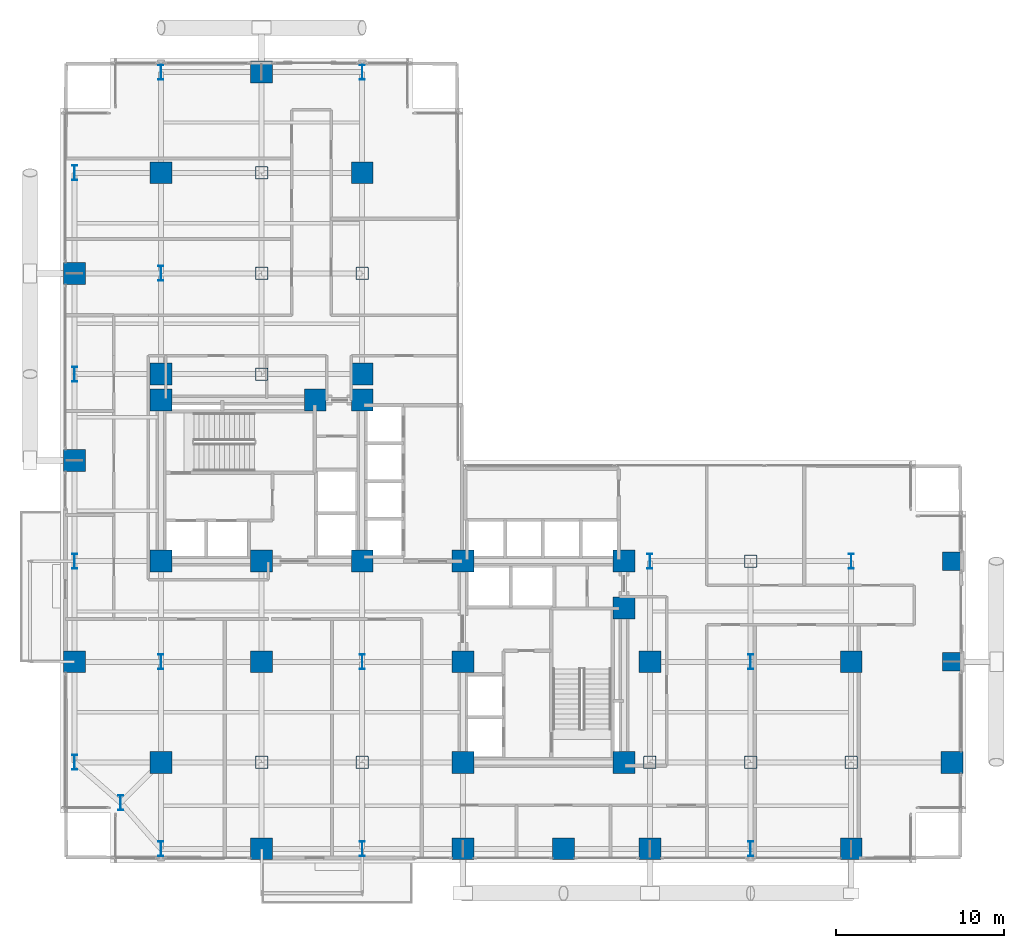
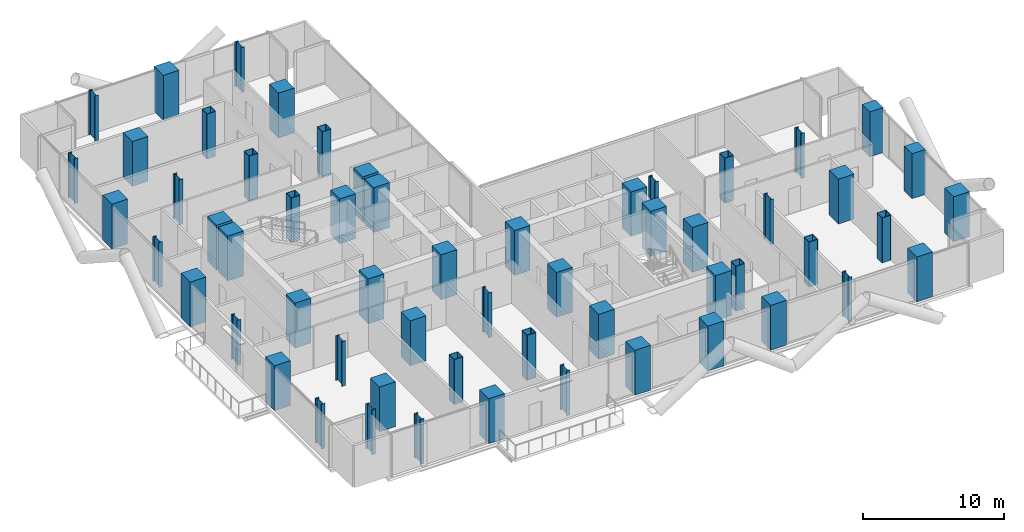
# One storey, part 1 of 25: 58 columns.
"""IFC4 building model written with IfcOpenShell, lengths in metres."""

from ifc_helpers import new_model, si_unit, direction, frame, origin, origin_2d, place, context, subcontext, project, spatial, rectangle, hollow_rectangle, i_section, extrude, material, material_profile, profile_set, type_object, element, save


model = new_model("IFC4")

# Units and contexts
model_context = context("Model", 3, precision=1e-05, world=origin(), true_north=direction((0.0, 1.0)))
body_context = subcontext(model_context, "Body", "Model", "MODEL_VIEW")
ifc_project = project(units=[si_unit("LENGTHUNIT", "METRE"), si_unit("AREAUNIT", "SQUARE_METRE"), si_unit("VOLUMEUNIT", "CUBIC_METRE"), si_unit("PLANEANGLEUNIT", "RADIAN"), si_unit("MASSUNIT", "GRAM", prefix="KILO"), si_unit("THERMODYNAMICTEMPERATUREUNIT", "KELVIN"), si_unit("POWERUNIT", "WATT")], contexts=[model_context])

# Site, building, storey
site_placement = place(None, origin())
site = spatial("IfcSite", under=ifc_project, at=site_placement, CompositionType="ELEMENT")
building_placement = place(site_placement, origin())
building = spatial("IfcBuilding", under=site, at=building_placement, Name="Svarakhadi Broadcast Tower", CompositionType="ELEMENT")
storey_placement = place(building_placement, frame((0.0, 0.0, 67.5)))
storey = spatial("IfcBuildingStorey", under=building, at=storey_placement, Name="L15", CompositionType="ELEMENT", Elevation=67.5)

# Columns
ifc_material_1 = material(Name="Steel S460ML (IS 2062 E450BR)", Category="steel")
ifc_material_profile_1 = material_profile(ifc_material_1, hollow_rectangle(XDim=0.75, YDim=0.75, WallThickness=0.034912109375, InnerFilletRadius=0.034912109375, OuterFilletRadius=0.050048828125, at=origin_2d()), Name="BOX 750x750x35")
ifc_profile_set_1 = profile_set([ifc_material_profile_1], Name="Steel S460ML (IS 2062 E450BR)")
column_type_1 = type_object("IfcColumnType", Name="Col_BOX750", PredefinedType="COLUMN", material=ifc_profile_set_1)
for number, where, z_axis, x_axis, name in (
    (1, (12.0, 6.0, 0.0), (0.0, 0.0, 1.0), (1.0, 0.0, 0.0), "L15 Column G19"),
    (2, (12.0, 29.14990234375, 0.0), (0.0, 0.0, 1.0), (1.0, 0.0, 0.0), "L15 Column G21"),
    (3, (12.0, 35.14990234375, 0.0), (0.0, 0.0, 1.0), (1.0, 0.0, 0.0), "L15 Column G22"),
    (4, (12.0, 41.14990234375, 0.0), (0.0, 0.0, 1.0), (1.0, 0.0, 0.0), "L15 Column G23"),
    (5, (18.0, 6.0, 0.0), (0.0, 0.0, 1.0), (1.0, 0.0, 0.0), "L15 Column G26"),
    (6, (18.0, 35.14990234375, 0.0), (0.0, 0.0, 1.0), (1.0, 0.0, 0.0), "L15 Column G29"),
    (7, (35.14990234375, 6.0, 0.0), (0.0, 0.0, 1.0), (1.0, 0.0, 0.0), "L15 Column G39"),
    (8, (41.14990234375, 6.0, 0.0), (0.0, 0.0, 1.0), (1.0, 0.0, 0.0), "L15 Column G44"),
    (9, (41.14990234375, 18.0, 0.0), (0.0, 0.0, 1.0), (1.0, 0.0, 0.0), "L15 Column G46"),
    (10, (47.14990234375, 6.0, 0.0), (0.0, 0.0, 1.0), (1.0, 0.0, 0.0), "L15 Column G51"),
):
    element("IfcColumn", number, at=place(storey_placement, frame(where, z_axis=z_axis, x_axis=x_axis)), inside=storey, type_object=column_type_1, Name=name, PredefinedType="COLUMN", context=body_context, shape_type="SweptSolid", body=[
        extrude(hollow_rectangle(XDim=0.75, YDim=0.75, WallThickness=0.034912109375, InnerFilletRadius=0.034912109375, OuterFilletRadius=0.050048828125, at=origin_2d()), origin(), (0.0, 0.0, 1.0), 3.89990234375),
    ])
ifc_material_2 = material(Name="Concrete C50/60 (IS 456 M60)", Category="concrete")
ifc_material_profile_2 = material_profile(ifc_material_2, rectangle(XDim=1.10009765625, YDim=1.10009765625, at=origin_2d()), Name="RC 1100x1100")
ifc_profile_set_2 = profile_set([ifc_material_profile_2], Name="Concrete C50/60 (IS 456 M60)")
column_type_2 = type_object("IfcColumnType", Name="Col_RC1100", PredefinedType="COLUMN", material=ifc_profile_set_2)
for number, where, z_axis, x_axis, name in (
    (11, (53.14990234375, 12.0, 0.0), (0.0, 0.0, 1.0), (1.0, 0.0, 0.0), "L15 Zone-1 East Stack Column ZT02"),
    (12, (53.14990234375, 18.0, 0.0), (0.0, 0.0, 1.0), (1.0, 0.0, 0.0), "L15 Zone-1 East Stack Column ZT03"),
):
    element("IfcColumn", number, at=place(storey_placement, frame(where, z_axis=z_axis, x_axis=x_axis)), inside=storey, type_object=column_type_2, Name=name, PredefinedType="COLUMN", context=body_context, shape_type="SweptSolid", body=[
        extrude(rectangle(XDim=1.10009765625, YDim=1.10009765625, at=origin_2d()), origin(), (0.0, 0.0, 1.0), 3.89990234375),
    ])
ifc_material_3 = material(Name="Concrete C60/75 (IS 456 M70)", Category="concrete")
ifc_material_profile_3 = material_profile(ifc_material_3, rectangle(XDim=1.300048828125, YDim=1.300048828125, at=origin_2d()), Name="RC 1300x1300")
ifc_profile_set_3 = profile_set([ifc_material_profile_3], Name="Concrete C60/75 (IS 456 M70)")
column_type_3 = type_object("IfcColumnType", Name="Col_RC1300", PredefinedType="COLUMN", material=ifc_profile_set_3)
for number, where, z_axis, x_axis, name in (
    (13, (6.0, 18.0, 0.0), (0.0, 0.0, 1.0), (1.0, 0.0, 0.0), "L15 Column CW1"),
    (14, (12.0, 18.0, 0.0), (0.0, 0.0, 1.0), (1.0, 0.0, 0.0), "L15 Column CW2"),
    (15, (18.0, 18.0, 0.0), (0.0, 0.0, 1.0), (1.0, 0.0, 0.0), "L15 Column CW3"),
    (16, (6.0, 27.60009765625, 0.0), (0.0, 0.0, 1.0), (1.0, 0.0, 0.0), "L15 Column CW4"),
    (17, (15.199951171875, 27.60009765625, 0.0), (0.0, 0.0, 1.0), (1.0, 0.0, 0.0), "L15 Column CW5"),
    (18, (18.0, 27.60009765625, 0.0), (0.0, 0.0, 1.0), (1.0, 0.0, 0.0), "L15 Column CW6"),
    (19, (24.0, 6.0, 0.0), (0.0, 0.0, 1.0), (1.0, 0.0, 0.0), "L15 Column CE1"),
    (20, (24.0, 12.0, 0.0), (0.0, 0.0, 1.0), (1.0, 0.0, 0.0), "L15 Column CE2"),
    (21, (24.0, 18.0, 0.0), (0.0, 0.0, 1.0), (1.0, 0.0, 0.0), "L15 Column CE3"),
    (22, (33.60009765625, 6.0, 0.0), (0.0, 0.0, 1.0), (1.0, 0.0, 0.0), "L15 Column CE4"),
    (23, (33.60009765625, 15.199951171875, 0.0), (0.0, 0.0, 1.0), (1.0, 0.0, 0.0), "L15 Column CE5"),
    (24, (33.60009765625, 18.0, 0.0), (0.0, 0.0, 1.0), (1.0, 0.0, 0.0), "L15 Column CE6"),
    (25, (0.85009765625, 12.0, 0.0), (0.0, 0.0, 1.0), (1.0, 0.0, 0.0), "L15 Column G04"),
    (26, (0.85009765625, 24.0, 0.0), (0.0, 0.0, 1.0), (1.0, 0.0, 0.0), "L15 Column G06"),
    (27, (0.85009765625, 35.14990234375, 0.0), (0.0, 0.0, 1.0), (1.0, 0.0, 0.0), "L15 Column G08"),
    (28, (6.0, 6.0, 0.0), (0.0, 0.0, 1.0), (1.0, 0.0, 0.0), "L15 Column G12"),
    (29, (6.0, 29.14990234375, 0.0), (0.0, 0.0, 1.0), (1.0, 0.0, 0.0), "L15 Column G14"),
    (30, (6.0, 41.14990234375, 0.0), (0.0, 0.0, 1.0), (1.0, 0.0, 0.0), "L15 Column G16"),
    (31, (12.0, 0.85009765625, 0.0), (0.0, 0.0, 1.0), (1.0, 0.0, 0.0), "L15 Column G18"),
    (32, (12.0, 12.0, 0.0), (0.0, 0.0, 1.0), (1.0, 0.0, 0.0), "L15 Column G20"),
    (33, (12.0, 47.14990234375, 0.0), (0.0, 0.0, 1.0), (1.0, 0.0, 0.0), "L15 Column G24"),
    (34, (18.0, 29.14990234375, 0.0), (0.0, 0.0, 1.0), (1.0, 0.0, 0.0), "L15 Column G28"),
    (35, (18.0, 41.14990234375, 0.0), (0.0, 0.0, 1.0), (1.0, 0.0, 0.0), "L15 Column G30"),
    (36, (24.0, 0.85009765625, 0.0), (0.0, 0.0, 1.0), (1.0, 0.0, 0.0), "L15 Column G32"),
    (37, (30.0, 0.85009765625, 0.0), (0.0, 0.0, 1.0), (1.0, 0.0, 0.0), "L15 Column G36"),
    (38, (35.14990234375, 0.85009765625, 0.0), (0.0, 0.0, 1.0), (1.0, 0.0, 0.0), "L15 Column G38"),
    (39, (35.14990234375, 12.0, 0.0), (0.0, 0.0, 1.0), (1.0, 0.0, 0.0), "L15 Column G40"),
    (40, (47.14990234375, 0.85009765625, 0.0), (0.0, 0.0, 1.0), (1.0, 0.0, 0.0), "L15 Column G50"),
    (41, (47.14990234375, 12.0, 0.0), (0.0, 0.0, 1.0), (1.0, 0.0, 0.0), "L15 Column G52"),
    (42, (53.14990234375, 6.0, 0.0), (0.0, 0.0, 1.0), (1.0, 0.0, 0.0), "L15 Column G58"),
):
    element("IfcColumn", number, at=place(storey_placement, frame(where, z_axis=z_axis, x_axis=x_axis)), inside=storey, type_object=column_type_3, Name=name, PredefinedType="COLUMN", context=body_context, shape_type="SweptSolid", body=[
        extrude(rectangle(XDim=1.300048828125, YDim=1.300048828125, at=origin_2d()), origin(), (0.0, 0.0, 1.0), 3.89990234375),
    ])
ifc_material_profile_4 = material_profile(ifc_material_1, i_section(OverallWidth=0.300048828125, OverallDepth=0.89990234375, WebThickness=0.0185546875, FlangeThickness=0.034912109375, FilletRadius=0.030029296875, at=origin_2d()), Name="WPB 900x300x291")
ifc_profile_set_4 = profile_set([ifc_material_profile_4], Name="Steel S460ML (IS 2062 E450BR)")
column_type_4 = type_object("IfcColumnType", Name="Col_WPB900", PredefinedType="COLUMN", material=ifc_profile_set_4)
for number, where, z_axis, x_axis, name in (
    (43, (3.60009765625, 3.60009765625, 0.0), (0.0, 0.0, 1.0), (1.0, 0.0, 0.0), "L15 Column G01"),
    (44, (0.85009765625, 6.0, 0.0), (0.0, 0.0, 1.0), (1.0, 0.0, 0.0), "L15 Column G03"),
    (45, (0.85009765625, 18.0, 0.0), (0.0, 0.0, 1.0), (1.0, 0.0, 0.0), "L15 Column G05"),
    (46, (0.85009765625, 29.14990234375, 0.0), (0.0, 0.0, 1.0), (1.0, 0.0, 0.0), "L15 Column G07"),
    (47, (0.85009765625, 41.14990234375, 0.0), (0.0, 0.0, 1.0), (1.0, 0.0, 0.0), "L15 Column G09"),
    (48, (6.0, 0.85009765625, 0.0), (0.0, 0.0, 1.0), (1.0, 0.0, 0.0), "L15 Column G11"),
    (49, (6.0, 12.0, 0.0), (0.0, 0.0, 1.0), (1.0, 0.0, 0.0), "L15 Column G13"),
    (50, (6.0, 35.14990234375, 0.0), (0.0, 0.0, 1.0), (1.0, 0.0, 0.0), "L15 Column G15"),
    (51, (6.0, 47.14990234375, 0.0), (0.0, 0.0, 1.0), (1.0, 0.0, 0.0), "L15 Column G17"),
    (52, (18.0, 0.85009765625, 0.0), (0.0, 0.0, 1.0), (1.0, 0.0, 0.0), "L15 Column G25"),
    (53, (18.0, 12.0, 0.0), (0.0, 0.0, 1.0), (1.0, 0.0, 0.0), "L15 Column G27"),
    (54, (18.0, 47.14990234375, 0.0), (0.0, 0.0, 1.0), (1.0, 0.0, 0.0), "L15 Column G31"),
    (55, (35.14990234375, 18.0, 0.0), (0.0, 0.0, 1.0), (1.0, 0.0, 0.0), "L15 Column G41"),
    (56, (41.14990234375, 0.85009765625, 0.0), (0.0, 0.0, 1.0), (1.0, 0.0, 0.0), "L15 Column G43"),
    (57, (41.14990234375, 12.0, 0.0), (0.0, 0.0, 1.0), (1.0, 0.0, 0.0), "L15 Column G45"),
    (58, (47.14990234375, 18.0, 0.0), (0.0, 0.0, 1.0), (1.0, 0.0, 0.0), "L15 Column G53"),
):
    element("IfcColumn", number, at=place(storey_placement, frame(where, z_axis=z_axis, x_axis=x_axis)), inside=storey, type_object=column_type_4, Name=name, PredefinedType="COLUMN", context=body_context, shape_type="SweptSolid", body=[
        extrude(i_section(OverallWidth=0.300048828125, OverallDepth=0.89990234375, WebThickness=0.0185546875, FlangeThickness=0.034912109375, FilletRadius=0.030029296875, at=origin_2d()), origin(), (0.0, 0.0, 1.0), 3.89990234375),
    ])

save(model, "model.ifc")
